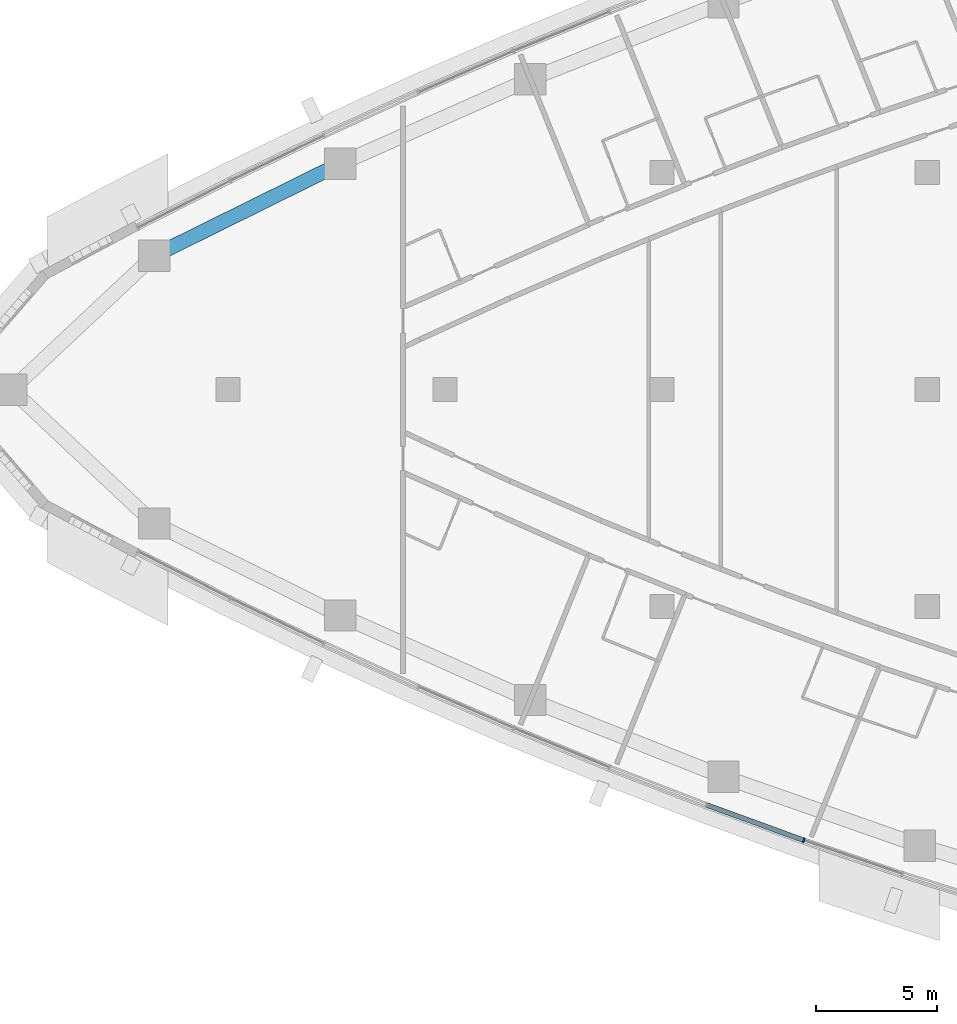
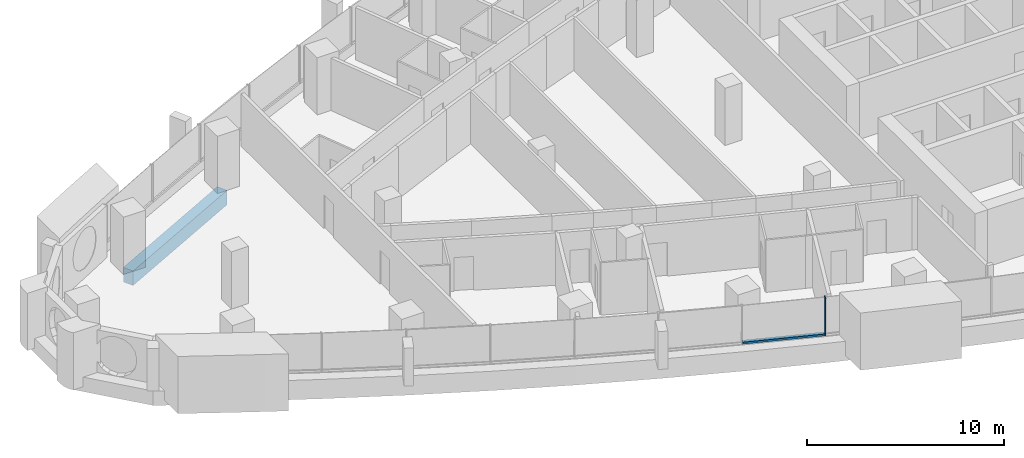
# One storey, part 3 of 17: 2 members, 1 beam, 1 element without a shape of its own.
"""IFC4 building model written with IfcOpenShell, lengths in metres."""

import ifcopenshell
import ifcopenshell.guid

model = None  # the IFC model being written
_history = None  # IfcOwnerHistory: only IFC2X3 demands one
_inside = {}  # id of a spatial element -> (the spatial element, [elements in it])
_under = {}  # id of a project, library or spatial element -> (it, [spatial elements below it])
_declared = {}  # id of a project -> (the project, [libraries it declares])
_typed = {}  # id of a type object -> (the type object, [elements of that type])
_made_of = {}  # id of a material, layer set ... -> (it, [elements and type objects made of it])


def new_model(schema):
    """Start an empty IFC model of exactly this schema.

    Asked for "IFC4X3", IfcOpenShell would pick the latest addendum, in which some entities
    have other attributes; the version numbers below select the first issue.
    IFC2X3 requires an IfcOwnerHistory on every rooted entity: one is made here for all.
    """
    global model, _history
    if schema == "IFC4X3":
        model = ifcopenshell.file(schema_version=(4, 3, 0, 0))
    else:
        model = ifcopenshell.file(schema=schema)
    _inside.clear()
    _under.clear()
    _declared.clear()
    _typed.clear()
    _made_of.clear()
    _history = None
    if model.schema == "IFC2X3":
        org = make("IfcOrganization", Name="unknown")
        user = make(
            "IfcPersonAndOrganization",
            ThePerson=make("IfcPerson", FamilyName="unknown"),
            TheOrganization=org,
        )
        app = make(
            "IfcApplication",
            ApplicationDeveloper=org,
            Version="unknown",
            ApplicationFullName="unknown",
            ApplicationIdentifier="unknown",
        )
        _history = make(
            "IfcOwnerHistory",
            OwningUser=user,
            OwningApplication=app,
            ChangeAction="ADDED",
            CreationDate=0,
        )
    return model


def make(cls, **values):
    """One entity of the class cls with the attributes given. An attribute that is None is left unset."""
    return model.create_entity(
        cls, **{name: value for name, value in values.items() if value is not None}
    )


def rooted(cls, **values):
    """An entity with a GlobalId (a new one), such as an element, a storey or a relation."""
    return make(cls, GlobalId=ifcopenshell.guid.new(), OwnerHistory=_history, **values)


def si_unit(unit_type, name, prefix=None):
    """IfcSIUnit, for example si_unit("LENGTHUNIT", "METRE", prefix="MILLI")."""
    return make("IfcSIUnit", UnitType=unit_type, Prefix=prefix, Name=name)


def assignment(units):
    """IfcUnitAssignment: the units of a project."""
    return None if units is None else make("IfcUnitAssignment", Units=units)


def point(xyz):
    """IfcCartesianPoint."""
    return None if xyz is None else make("IfcCartesianPoint", Coordinates=xyz)


def direction(xyz):
    """IfcDirection."""
    return None if xyz is None else make("IfcDirection", DirectionRatios=xyz)


def frame(location, z_axis=None, x_axis=None):
    """IfcAxis2Placement3D, a coordinate frame: its origin and axes. An axis left out is left unset."""
    return make(
        "IfcAxis2Placement3D",
        Location=point(location),
        Axis=direction(z_axis),
        RefDirection=direction(x_axis),
    )


def frame_2d(location, x_axis=None):
    """IfcAxis2Placement2D, a coordinate frame in the plane: its origin and x axis."""
    return make(
        "IfcAxis2Placement2D", Location=point(location), RefDirection=direction(x_axis)
    )


def origin():
    """The frame at (0, 0, 0) with its axes left unset."""
    return frame((0.0, 0.0, 0.0))


def origin_2d():
    """The frame at (0, 0) in the plane with its x axis left unset."""
    return frame_2d((0.0, 0.0))


def place(relative_to, where):
    """IfcLocalPlacement: puts the frame where relative to a parent placement (None: the world)."""
    return make(
        "IfcLocalPlacement", PlacementRelTo=relative_to, RelativePlacement=where
    )


def context(
    kind, dimensions, precision=None, world=None, true_north=None, identifier=None
):
    """IfcGeometricRepresentationContext, for example the 3D "Model" context."""
    return make(
        "IfcGeometricRepresentationContext",
        ContextIdentifier=identifier,
        ContextType=kind,
        CoordinateSpaceDimension=dimensions,
        Precision=precision,
        WorldCoordinateSystem=world,
        TrueNorth=true_north,
    )


def subcontext(parent, identifier, kind, view, scale=None):
    """IfcGeometricRepresentationSubContext, for example "Body" below "Model"."""
    return make(
        "IfcGeometricRepresentationSubContext",
        ContextIdentifier=identifier,
        ContextType=kind,
        ParentContext=parent,
        TargetScale=scale,
        TargetView=view,
    )


def project(units=None, contexts=None):
    """IfcProject with its units and contexts."""
    return rooted(
        "IfcProject",
        Name="project",
        RepresentationContexts=contexts,
        UnitsInContext=assignment(units),
    )


def spatial(cls, under=None, at=None, **own):
    """A site, building, storey or space (cls), placed at a placement, below another one or the project."""
    s = rooted(cls, ObjectPlacement=at, **own)
    if under is not None:
        _under.setdefault(under.id(), (under, []))[1].append(s)
    return s


def profile(cls, at=None, kind="AREA", **sizes):
    """A parametric profile (cls). Its sizes go by their IFC names, for example OverallWidth=200.0."""
    return make(cls, ProfileType=kind, Position=at, **sizes)


def rectangle(**sizes):
    """IfcRectangleProfileDef."""
    return profile("IfcRectangleProfileDef", **sizes)


def extrude(swept, where, along, depth):
    """IfcExtrudedAreaSolid: the profile swept, set in the frame where, extruded along a direction by depth."""
    return make(
        "IfcExtrudedAreaSolid",
        SweptArea=swept,
        Position=where,
        ExtrudedDirection=direction(along),
        Depth=depth,
    )


def shape(context_of_items, identifier, shape_type, items):
    """IfcShapeRepresentation: the items that make up one representation, for example the "Body"."""
    return make(
        "IfcShapeRepresentation",
        ContextOfItems=context_of_items,
        RepresentationIdentifier=identifier,
        RepresentationType=shape_type,
        Items=items,
    )


def material(Name=None, Category=None):
    """IfcMaterial."""
    return make("IfcMaterial", Name=Name, Category=Category)


def layer(
    of_material, thickness, ventilated=None, Name=None, Category=None, Priority=None
):
    """IfcMaterialLayer: one layer of a wall or slab, of a material (None: an air gap)."""
    return make(
        "IfcMaterialLayer",
        Material=of_material,
        LayerThickness=thickness,
        IsVentilated=ventilated,
        Name=Name,
        Category=Category,
        Priority=Priority,
    )


def layer_set(layers, Name=None):
    """IfcMaterialLayerSet."""
    return make("IfcMaterialLayerSet", MaterialLayers=layers, LayerSetName=Name)


def material_profile(
    of_material, cross_section, Name=None, Category=None, Priority=None
):
    """IfcMaterialProfile: a cross section and its material."""
    return make(
        "IfcMaterialProfile",
        Name=Name,
        Material=of_material,
        Profile=cross_section,
        Priority=Priority,
        Category=Category,
    )


def profile_set(profiles, Name=None, composite=None):
    """IfcMaterialProfileSet."""
    return make(
        "IfcMaterialProfileSet",
        Name=Name,
        MaterialProfiles=profiles,
        CompositeProfile=composite,
    )


def made_of(thing, what):
    """Note that an element or type object is made of a material, layer set ...; save() writes the relation."""
    if what is not None:
        _made_of.setdefault(what.id(), (what, []))[1].append(thing)
    return thing


def type_object(cls, material=None, **own):
    """A type object (cls), such as IfcWallType, which elements share."""
    return made_of(rooted(cls, **own), material)


def element(
    cls,
    number,
    at=None,
    inside=None,
    cuts=None,
    type_object=None,
    material=None,
    context=None,
    identifier="Body",
    shape_type=None,
    held_by="IfcProductDefinitionShape",
    body=None,
    shapes=None,
    **own,
):
    """One element of the class cls, such as IfcWall. Its Tag is "e" and its number.

    at: its placement. inside: the storey or other place that contains it. cuts: it is an
    opening in that element (IfcRelVoidsElement). A single representation is given by context,
    identifier, shape_type and body (its items); several are given by shapes. held_by: the class
    of the entity that holds the representations. save() writes the other relations.
    """
    e = rooted(cls, Tag="e%d" % number, ObjectPlacement=at, **own)
    if body is not None:
        shapes = [shape(context, identifier, shape_type, body)]
    if shapes is not None:
        e.Representation = make(held_by, Representations=shapes)
    if inside is not None:
        _inside.setdefault(inside.id(), (inside, []))[1].append(e)
    if cuts is not None:
        rooted(
            "IfcRelVoidsElement", RelatingBuildingElement=cuts, RelatedOpeningElement=e
        )
    if type_object is not None:
        _typed.setdefault(type_object.id(), (type_object, []))[1].append(e)
    return made_of(e, material)


def aggregate(whole, parts):
    """IfcRelAggregates: a whole, such as a stair, and the parts it consists of."""
    return rooted("IfcRelAggregates", RelatingObject=whole, RelatedObjects=parts)


def save(model, path):
    """Write the relations noted so far, then the file.

    IfcRelAggregates (storeys below a building ...), IfcRelContainedInSpatialStructure (elements
    in a storey), IfcRelDefinesByType, IfcRelAssociatesMaterial and IfcRelDeclares: one each for
    every whole, place, type object, material and project.
    """
    for whole, parts in _under.values():
        aggregate(whole, parts)
    for where, things in _inside.values():
        rooted(
            "IfcRelContainedInSpatialStructure",
            RelatedElements=things,
            RelatingStructure=where,
        )
    for kind, things in _typed.values():
        rooted("IfcRelDefinesByType", RelatedObjects=things, RelatingType=kind)
    for what, things in _made_of.values():
        rooted("IfcRelAssociatesMaterial", RelatedObjects=things, RelatingMaterial=what)
    for by, libraries in _declared.values():
        rooted("IfcRelDeclares", RelatingContext=by, RelatedDefinitions=libraries)
    model.write(path)


model = new_model("IFC4")

# Units and contexts
model_context = context("Model", 3, precision=1e-05, world=origin(), true_north=direction((0.0, 1.0)))
body_context = subcontext(model_context, "Body", "Model", "MODEL_VIEW")
ifc_project = project(units=[si_unit("LENGTHUNIT", "METRE"), si_unit("AREAUNIT", "SQUARE_METRE"), si_unit("VOLUMEUNIT", "CUBIC_METRE"), si_unit("PLANEANGLEUNIT", "RADIAN"), si_unit("MASSUNIT", "GRAM", prefix="KILO")], contexts=[model_context])

# Site, building, storey
site_placement = place(None, origin())
site = spatial("IfcSite", under=ifc_project, at=site_placement, CompositionType="ELEMENT")
building_placement = place(site_placement, origin())
building = spatial("IfcBuilding", under=site, at=building_placement, Name="Ostrand Prow Hotel Tower", CompositionType="ELEMENT")
storey_placement = place(building_placement, frame((0.0, 0.0, 203.89990234375)))
storey = spatial("IfcBuildingStorey", under=building, at=storey_placement, Name="L51", CompositionType="ELEMENT", Elevation=203.89990234375)

# Beam
ifc_material_1 = material(Name="Concrete C60/75", Category="concrete")
ifc_material_profile_1 = material_profile(ifc_material_1, rectangle(XDim=0.60009765625, YDim=0.89990234375, at=origin_2d()), Name="RC 600x900")
ifc_profile_set_1 = profile_set([ifc_material_profile_1], Name="Concrete C60/75")
beam_type = type_object("IfcBeamType", Name="Edge beam 600x900 C60/75", PredefinedType="SPANDREL", material=ifc_profile_set_1)
beam_placement = place(storey_placement, frame((20.656982421875, 9.373291015625, -0.75), z_axis=(-0.896383774903, -0.443278837856, 0.0), x_axis=(0.443278837856, -0.896383774903, 0.0)))
element("IfcBeam", 1, at=beam_placement, inside=storey, type_object=beam_type, Name="Edge beam N5-N6", PredefinedType="SPANDREL", context=body_context, shape_type="SweptSolid", body=[
    extrude(rectangle(XDim=0.60009765625, YDim=0.89990234375, at=origin_2d()), origin(), (0.0, 0.0, 1.0), 8.62158203125),
])

# Curtain wall, members
ifc_material_2 = material(Name="Insulated glass in bronze anodised frame", Category="glass")
ifc_layer = layer(ifc_material_2, 0.199951171875)
ifc_layer_set = layer_set([ifc_layer], Name="Insulated glass in bronze anodised frame")
curtain_wall_type = type_object("IfcCurtainWallType", Name="Strip curtain wall, fritted glass over bronze spandrel", PredefinedType="NOTDEFINED", material=ifc_layer_set)
curtain_wall_placement = place(storey_placement, origin())
curtain_wall = element("IfcCurtainWall", 2, at=curtain_wall_placement, inside=storey, type_object=curtain_wall_type, Name="CW1 run CWS4", PredefinedType="NOTDEFINED")
ifc_material_3 = material(Name="Bronze anodised aluminium", Category="aluminium")
ifc_material_profile_2 = material_profile(ifc_material_3, rectangle(XDim=0.199951171875, YDim=0.06005859375, at=origin_2d()), Name="Mullion 60x200 bronze anodised aluminium")
ifc_profile_set_2 = profile_set([ifc_material_profile_2], Name="Bronze anodised aluminium")
member_type_1 = type_object("IfcMemberType", Name="Mullion 60x200 bronze anodised aluminium", PredefinedType="MULLION", material=ifc_profile_set_2)
member_1_placement = place(storey_placement, frame((39.87939453125, -18.696533203125, 0.900146484375), z_axis=(0.0, 0.0, 1.0), x_axis=(0.322908332404, 0.946430245113, 0.0)))
member_1 = element("IfcMember", 3, at=member_1_placement, type_object=member_type_1, Name="CW1 mullion 2", PredefinedType="MULLION", context=body_context, shape_type="SweptSolid", body=[
    extrude(rectangle(XDim=0.199951171875, YDim=0.06005859375, at=origin_2d()), origin(), (0.0, 0.0, 1.0), 2.349853515625),
])
ifc_material_4 = material(Name="Bronze anodised aluminium", Category="aluminium")
ifc_material_profile_3 = material_profile(ifc_material_4, rectangle(XDim=0.199951171875, YDim=0.1201171875, at=origin_2d()), Name="Transom 120x200 bronze anodised aluminium")
ifc_profile_set_3 = profile_set([ifc_material_profile_3], Name="Bronze anodised aluminium")
member_type_2 = type_object("IfcMemberType", Name="Transom 120x200 bronze anodised aluminium", PredefinedType="USERDEFINED", material=ifc_profile_set_3)
member_2_placement = place(storey_placement, frame((35.86181640625, -17.235107421875, 0.960205078125), z_axis=(0.939753116272, -0.341853887584, 0.0), x_axis=(0.341853887584, 0.939753116272, 0.0)))
member_2 = element("IfcMember", 4, at=member_2_placement, type_object=member_type_2, Name="CW1 transom 1.1", ObjectType="TRANSOM", PredefinedType="USERDEFINED", context=body_context, shape_type="SweptSolid", body=[
    extrude(rectangle(XDim=0.199951171875, YDim=0.1201171875, at=origin_2d()), origin(), (0.0, 0.0, 1.0), 4.2451171875),
])
aggregate(curtain_wall, [member_1, member_2])

save(model, "model.ifc")
